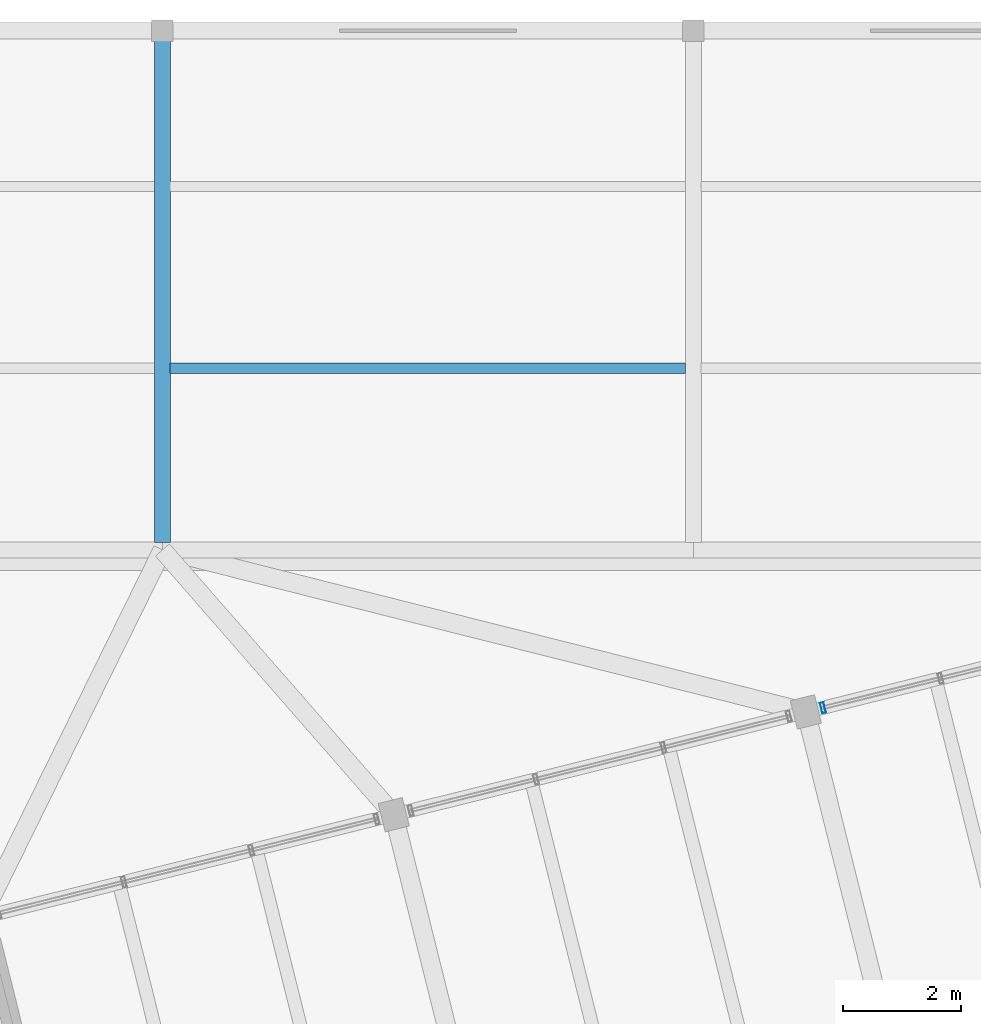
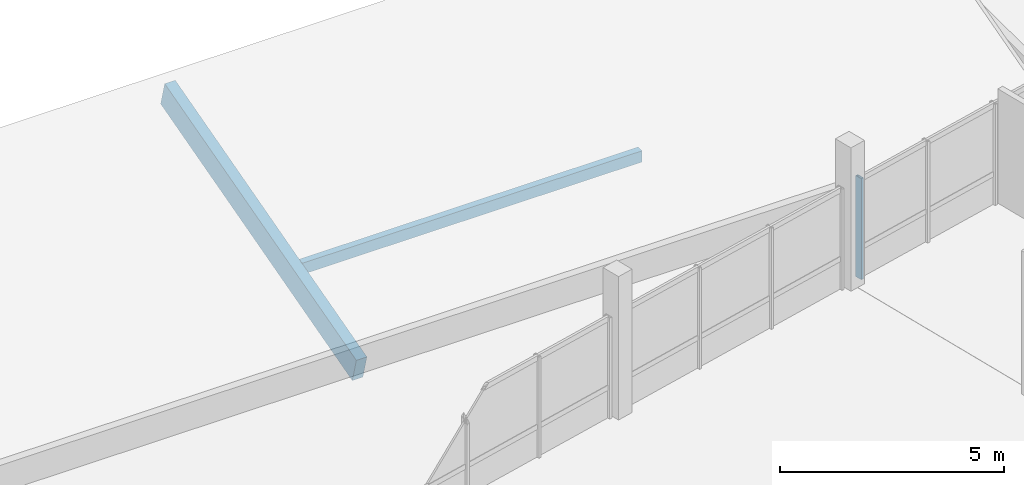
# One storey, part 25 of 37: 2 members, 1 beam, 1 element without a shape of its own.
"""IFC4 building model written with IfcOpenShell, lengths in metres."""

from ifc_helpers import new_model, si_unit, direction, frame, origin, origin_2d, place, context, subcontext, project, spatial, rectangle, hollow_rectangle, extrude, material, layer, layer_set, material_profile, profile_set, type_object, element, aggregate, save


model = new_model("IFC4")

# Units and contexts
model_context = context("Model", 3, precision=1e-05, world=origin(), true_north=direction((0.0, 1.0)))
body_context = subcontext(model_context, "Body", "Model", "MODEL_VIEW")
ifc_project = project(units=[si_unit("LENGTHUNIT", "METRE"), si_unit("AREAUNIT", "SQUARE_METRE"), si_unit("VOLUMEUNIT", "CUBIC_METRE"), si_unit("PLANEANGLEUNIT", "RADIAN"), si_unit("MASSUNIT", "GRAM", prefix="KILO")], contexts=[model_context])

# Site, building, storey
site_placement = place(None, origin())
site = spatial("IfcSite", under=ifc_project, at=site_placement, CompositionType="ELEMENT")
building_placement = place(site_placement, origin())
building = spatial("IfcBuilding", under=site, at=building_placement, Name="Meriwether Solvik Hall", CompositionType="ELEMENT")
storey_placement = place(building_placement, frame((0.0, 0.0, 26.10009765625)))
storey = spatial("IfcBuildingStorey", under=building, at=storey_placement, Name="L06", CompositionType="ELEMENT", Elevation=26.10009765625)

# Beam
ifc_material_1 = material(Name="Glulam Douglas-Fir 24F-V8 GL28h", Category="wood")
ifc_material_profile_1 = material_profile(ifc_material_1, rectangle(XDim=0.27294921875, YDim=0.68505859375, at=origin_2d()), Name="GLB-273X685")
ifc_profile_set_1 = profile_set([ifc_material_profile_1], Name="Glulam Douglas-Fir 24F-V8 GL28h")
beam_type = type_object("IfcBeamType", Name="BM-GL-273X685", PredefinedType="BEAM", material=ifc_profile_set_1)
beam_placement = place(storey_placement, frame((77.800048828125, 84.21875, -0.31396484375), z_axis=(0.0, 0.964211732223, 0.265133429511), x_axis=(-1.0, 0.0, 0.0)))
element("IfcBeam", 1, at=beam_placement, inside=storey, type_object=beam_type, Name="Raking Glulam Roof Rafter w4b_north_w-9 (L06)", PredefinedType="BEAM", context=body_context, shape_type="SweptSolid", body=[
    extrude(rectangle(XDim=0.27294921875, YDim=0.68505859375, at=origin_2d()), origin(), (0.0, 0.0, 1.0), 8.861083984375),
])

# Curtain wall, member
ifc_material_2 = material(Name="Thermally Broken Anodised Aluminium 6063-T6 and Low-E Glass", Category="aluminium")
ifc_layer = layer(ifc_material_2, 0.179931640625)
ifc_layer_set = layer_set([ifc_layer], Name="Thermally Broken Anodised Aluminium 6063-T6 and Low-E Glass")
curtain_wall_type = type_object("IfcCurtainWallType", Name="CW-UNIT-E", PredefinedType="USERDEFINED", material=ifc_layer_set)
curtain_wall_placement = place(storey_placement, origin())
curtain_wall = element("IfcCurtainWall", 2, at=curtain_wall_placement, inside=storey, type_object=curtain_wall_type, Name="Curtain Wall E4_B4 (L06)", ObjectType="UNITISED CURTAIN WALL", PredefinedType="USERDEFINED")
ifc_material_3 = material(Name="Anodised Aluminium 6063-T6", Category="aluminium")
ifc_material_profile_2 = material_profile(ifc_material_3, hollow_rectangle(XDim=0.06494140625, YDim=0.179931640625, WallThickness=0.00439453125, at=origin_2d()), Name="CWM-65X180")
ifc_profile_set_2 = profile_set([ifc_material_profile_2], Name="Anodised Aluminium 6063-T6")
member_type_1 = type_object("IfcMemberType", Name="CW-MUL-65X180", PredefinedType="MULLION", material=ifc_profile_set_2)
member_1_placement = place(storey_placement, frame((88.995849609375, 81.326171875, 0.0), z_axis=(0.0, 0.0, 1.0), x_axis=(0.970295747269, 0.2419218114, 0.0)))
member_1 = element("IfcMember", 3, at=member_1_placement, type_object=member_type_1, Name="Curtain Wall Mullion 1", PredefinedType="MULLION", context=body_context, shape_type="SweptSolid", body=[
    extrude(hollow_rectangle(XDim=0.06494140625, YDim=0.179931640625, WallThickness=0.00439453125, at=origin_2d()), origin(), (0.0, 0.0, 1.0), 2.75),
])
aggregate(curtain_wall, [member_1])

# Member
ifc_material_4 = material(Name="Glulam Douglas-Fir 24F-V8 GL28h", Category="wood")
ifc_material_profile_3 = material_profile(ifc_material_4, rectangle(XDim=0.175048828125, YDim=0.304931640625, at=origin_2d()), Name="GLM-175X305")
ifc_profile_set_3 = profile_set([ifc_material_profile_3], Name="Glulam Douglas-Fir 24F-V8 GL28h")
member_type_2 = type_object("IfcMemberType", Name="MEM-PRL-GL175", PredefinedType="PURLIN", material=ifc_profile_set_3)
member_2_placement = place(storey_placement, frame((77.9326171875, 87.080078125, 0.675537109375), z_axis=(1.0, 0.0, 0.0), x_axis=(0.0, 1.0, 0.0)))
element("IfcMember", 4, at=member_2_placement, inside=storey, type_object=member_type_2, Name="Sloped Roof Glulam Purlin w4b_north_w-3.1", PredefinedType="PURLIN", context=body_context, shape_type="SweptSolid", body=[
    extrude(rectangle(XDim=0.175048828125, YDim=0.304931640625, at=origin_2d()), origin(), (0.0, 0.0, 1.0), 8.73486328125),
])

save(model, "model.ifc")
